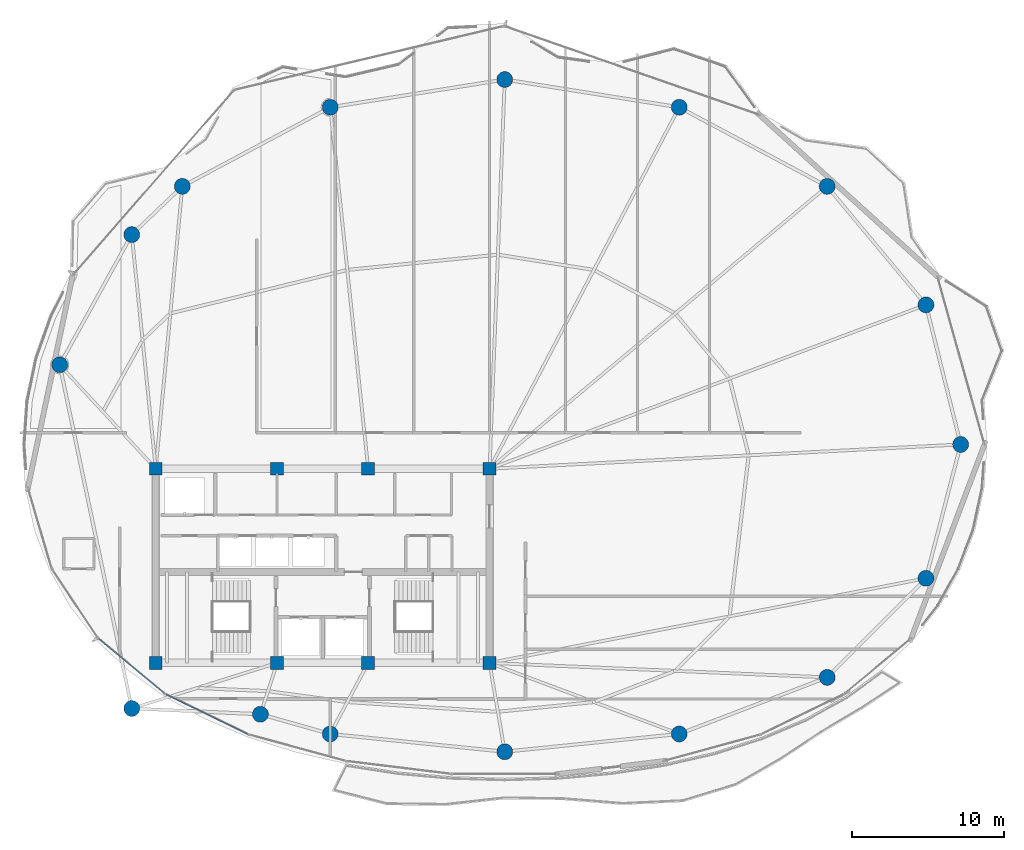
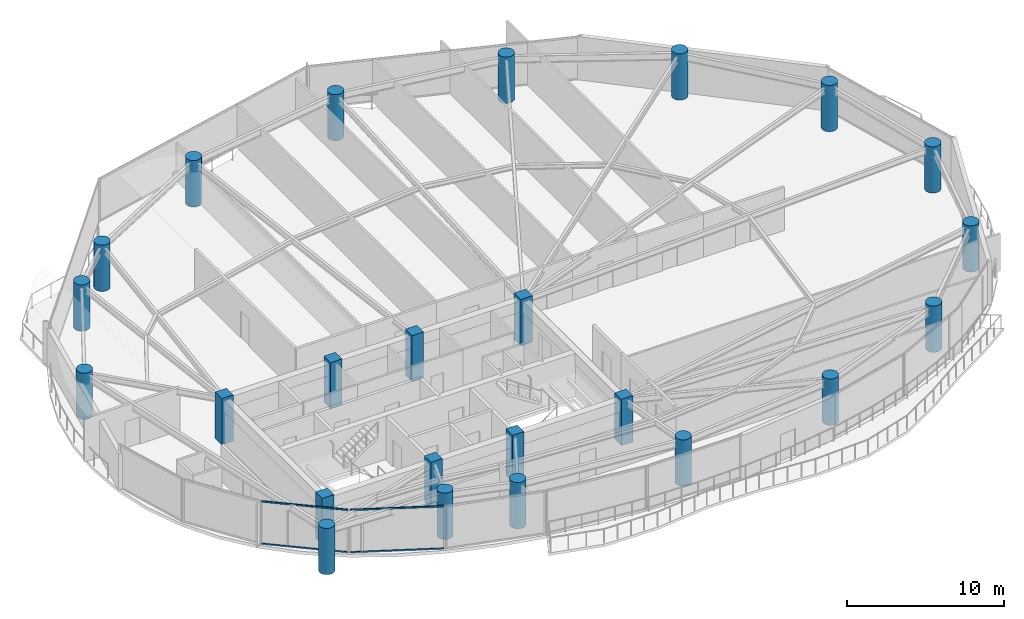
# One storey, part 1 of 28: 24 columns, 4 members, 2 elements without a shape of their own.
"""IFC4 building model written with IfcOpenShell, lengths in metres."""

from ifc_helpers import new_model, si_unit, direction, frame, origin, origin_2d, place, context, subcontext, project, spatial, rectangle, hollow_rectangle, circle, extrude, material, layer, layer_set, material_profile, profile_set, type_object, element, aggregate, save


model = new_model("IFC4")

# Units and contexts
model_context = context("Model", 3, precision=1e-05, world=origin(), true_north=direction((0.0, 1.0)))
body_context = subcontext(model_context, "Body", "Model", "MODEL_VIEW")
ifc_project = project(units=[si_unit("LENGTHUNIT", "METRE"), si_unit("AREAUNIT", "SQUARE_METRE"), si_unit("VOLUMEUNIT", "CUBIC_METRE"), si_unit("PLANEANGLEUNIT", "RADIAN"), si_unit("MASSUNIT", "GRAM", prefix="KILO")], contexts=[model_context])

# Site, building, storey
site_placement = place(None, origin())
site = spatial("IfcSite", under=ifc_project, at=site_placement, CompositionType="ELEMENT")
building_placement = place(site_placement, origin())
building = spatial("IfcBuilding", under=site, at=building_placement, Name="Kazevale Care Tower and Concert Hall", CompositionType="ELEMENT")
storey_placement = place(building_placement, frame((0.0, 0.0, 231.60009765625)))
storey = spatial("IfcBuildingStorey", under=building, at=storey_placement, Name="L61", CompositionType="ELEMENT", Elevation=231.60009765625)

# Columns
ifc_material_1 = material(Name="Concrete C50", Category="concrete")
ifc_material_profile_1 = material_profile(ifc_material_1, rectangle(XDim=0.85009765625, YDim=0.85009765625, at=origin_2d()), Name="RC-SQ850")
ifc_profile_set_1 = profile_set([ifc_material_profile_1], Name="Concrete C50")
column_type_1 = type_object("IfcColumnType", Name="Core Column SQ850 C50", PredefinedType="COLUMN", material=ifc_profile_set_1)
for number, where, z_axis, x_axis, name in (
    (1, (22.0, 23.60009765625, 0.0), (0.0, 0.0, 1.0), (1.0, 0.0, 0.0), "col:L61:CC-01"),
    (2, (30.0, 23.60009765625, 0.0), (0.0, 0.0, 1.0), (1.0, 0.0, 0.0), "col:L61:CC-02"),
    (3, (36.0, 23.60009765625, 0.0), (0.0, 0.0, 1.0), (1.0, 0.0, 0.0), "col:L61:CC-03"),
    (4, (44.0, 23.60009765625, 0.0), (0.0, 0.0, 1.0), (1.0, 0.0, 0.0), "col:L61:CC-04"),
    (5, (44.0, 36.39990234375, 0.0), (0.0, 0.0, 1.0), (1.0, 0.0, 0.0), "col:L61:CC-05"),
    (6, (36.0, 36.39990234375, 0.0), (0.0, 0.0, 1.0), (1.0, 0.0, 0.0), "col:L61:CC-06"),
    (7, (30.0, 36.39990234375, 0.0), (0.0, 0.0, 1.0), (1.0, 0.0, 0.0), "col:L61:CC-07"),
    (8, (22.0, 36.39990234375, 0.0), (0.0, 0.0, 1.0), (1.0, 0.0, 0.0), "col:L61:CC-08"),
):
    element("IfcColumn", number, at=place(storey_placement, frame(where, z_axis=z_axis, x_axis=x_axis)), inside=storey, type_object=column_type_1, Name=name, PredefinedType="COLUMN", context=body_context, shape_type="SweptSolid", body=[
        extrude(rectangle(XDim=0.85009765625, YDim=0.85009765625, at=origin_2d()), origin(), (0.0, 0.0, 1.0), 3.599853515625),
    ])
ifc_material_profile_2 = material_profile(ifc_material_1, circle(Radius=0.52490234375, at=origin_2d()), Name="RC-CIR1050")
ifc_profile_set_2 = profile_set([ifc_material_profile_2], Name="Concrete C50")
column_type_2 = type_object("IfcColumnType", Name="Perimeter Column CIR1050 C50", PredefinedType="COLUMN", material=ifc_profile_set_2)
for number, where, z_axis, x_axis, name in (
    (9, (75.050048828125, 38.0, 0.0), (0.0, 0.0, 1.0), (1.0, 0.0, 0.0), "col:L61:PC-01"),
    (10, (72.760009765625, 47.199951171875, 0.0), (0.0, 0.0, 1.0), (1.0, 0.0, 0.0), "col:L61:PC-02"),
    (11, (66.25, 55.010009765625, 0.0), (0.0, 0.0, 1.0), (1.0, 0.0, 0.0), "col:L61:PC-03"),
    (12, (56.5, 60.219970703125, 0.0), (0.0, 0.0, 1.0), (1.0, 0.0, 0.0), "col:L61:PC-04"),
    (13, (45.0, 62.050048828125, 0.0), (0.0, 0.0, 1.0), (1.0, 0.0, 0.0), "col:L61:PC-05"),
    (14, (33.5, 60.219970703125, 0.0), (0.0, 0.0, 1.0), (1.0, 0.0, 0.0), "col:L61:PC-06"),
    (15, (23.75, 55.010009765625, 0.0), (0.0, 0.0, 1.0), (1.0, 0.0, 0.0), "col:L61:PC-07"),
    (16, (20.419921875, 51.830078125, 0.0), (0.0, 0.0, 1.0), (1.0, 0.0, 0.0), "col:L61:PC-08"),
    (17, (15.669921875, 43.25, 0.0), (0.0, 0.0, 1.0), (1.0, 0.0, 0.0), "col:L61:PC-09"),
    (18, (20.419921875, 20.60009765625, 0.0), (0.0, 0.0, 1.0), (1.0, 0.0, 0.0), "col:L61:PC-10"),
    (19, (28.89990234375, 20.219970703125, 0.0), (0.0, 0.0, 1.0), (1.0, 0.0, 0.0), "col:L61:PC-11"),
    (20, (33.5, 18.919921875, 0.0), (0.0, 0.0, 1.0), (1.0, 0.0, 0.0), "col:L61:PC-12"),
    (21, (45.0, 17.75, 0.0), (0.0, 0.0, 1.0), (1.0, 0.0, 0.0), "col:L61:PC-13"),
    (22, (56.5, 18.919921875, 0.0), (0.0, 0.0, 1.0), (1.0, 0.0, 0.0), "col:L61:PC-14"),
    (23, (66.25, 22.64990234375, 0.0), (0.0, 0.0, 1.0), (1.0, 0.0, 0.0), "col:L61:PC-15"),
    (24, (72.760009765625, 29.179931640625, 0.0), (0.0, 0.0, 1.0), (1.0, 0.0, 0.0), "col:L61:PC-16"),
):
    element("IfcColumn", number, at=place(storey_placement, frame(where, z_axis=z_axis, x_axis=x_axis)), inside=storey, type_object=column_type_2, Name=name, PredefinedType="COLUMN", context=body_context, shape_type="SweptSolid", body=[
        extrude(circle(Radius=0.52490234375, at=origin_2d()), origin(), (0.0, 0.0, 1.0), 3.599853515625),
    ])

# Curtain wall, members
ifc_material_2 = material(Name="Aluminium 6063-T6 and Low-E Glass", Category="aluminium")
ifc_layer = layer(ifc_material_2, 0.179931640625)
ifc_layer_set = layer_set([ifc_layer], Name="Aluminium 6063-T6 and Low-E Glass")
curtain_wall_type = type_object("IfcCurtainWallType", Name="Sheltered Concave Balcony Curtain Wall CW-5", PredefinedType="NOTDEFINED", material=ifc_layer_set)
curtain_wall_1_placement = place(storey_placement, origin())
curtain_wall_1 = element("IfcCurtainWall", 25, at=curtain_wall_1_placement, inside=storey, type_object=curtain_wall_type, Name="cw:L61:f09", PredefinedType="NOTDEFINED")
ifc_material_3 = material(Name="Aluminium 6063-T6", Category="aluminium")
ifc_material_profile_3 = material_profile(ifc_material_3, hollow_rectangle(XDim=0.074951171875, YDim=0.1201171875, WallThickness=0.00390625, at=origin_2d()), Name="ALU75x120x4")
ifc_profile_set_3 = profile_set([ifc_material_profile_3], Name="Aluminium 6063-T6")
member_type = type_object("IfcMemberType", Name="CW-5 Transom ALU75x120x4", PredefinedType="USERDEFINED", material=ifc_profile_set_3)
member_1_placement = place(storey_placement, frame((28.07666015625, 18.90576171875, 0.037353515625), z_axis=(-0.899342308406, 0.437245254189, 0.0), x_axis=(-0.437245254189, -0.899342308406, 0.0)))
member_1 = element("IfcMember", 26, at=member_1_placement, type_object=member_type, Name="CW-5 transom 1.1", ObjectType="TRANSOM", PredefinedType="USERDEFINED", context=body_context, shape_type="SweptSolid", body=[
    extrude(hollow_rectangle(XDim=0.074951171875, YDim=0.1201171875, WallThickness=0.00390625, at=origin_2d()), origin(), (0.0, 0.0, 1.0), 6.00244140625),
])
member_2_placement = place(storey_placement, frame((28.07666015625, 18.90576171875, 3.322509765625), z_axis=(-0.899342308406, 0.437245254189, 0.0), x_axis=(-0.437245254189, -0.899342308406, 0.0)))
member_2 = element("IfcMember", 27, at=member_2_placement, type_object=member_type, Name="CW-5 transom 1.2", ObjectType="TRANSOM", PredefinedType="USERDEFINED", context=body_context, shape_type="SweptSolid", body=[
    extrude(hollow_rectangle(XDim=0.074951171875, YDim=0.1201171875, WallThickness=0.00390625, at=origin_2d()), origin(), (0.0, 0.0, 1.0), 6.00244140625),
])
aggregate(curtain_wall_1, [member_1, member_2])

curtain_wall_2_placement = place(storey_placement, origin())
curtain_wall_2 = element("IfcCurtainWall", 28, at=curtain_wall_2_placement, inside=storey, type_object=curtain_wall_type, Name="cw:L61:f10", PredefinedType="NOTDEFINED")
member_3_placement = place(storey_placement, frame((22.553466796875, 21.611083984375, 0.037353515625), z_axis=(-0.768432829708, 0.639930454211, 0.0), x_axis=(-0.639930454211, -0.768432829708, 0.0)))
member_3 = element("IfcMember", 29, at=member_3_placement, type_object=member_type, Name="CW-5 transom 1.1", ObjectType="TRANSOM", PredefinedType="USERDEFINED", context=body_context, shape_type="SweptSolid", body=[
    extrude(hollow_rectangle(XDim=0.074951171875, YDim=0.1201171875, WallThickness=0.00390625, at=origin_2d()), origin(), (0.0, 0.0, 1.0), 5.580078125),
])
member_4_placement = place(storey_placement, frame((22.553466796875, 21.611083984375, 3.322509765625), z_axis=(-0.768432829708, 0.639930454211, 0.0), x_axis=(-0.639930454211, -0.768432829708, 0.0)))
member_4 = element("IfcMember", 30, at=member_4_placement, type_object=member_type, Name="CW-5 transom 1.2", ObjectType="TRANSOM", PredefinedType="USERDEFINED", context=body_context, shape_type="SweptSolid", body=[
    extrude(hollow_rectangle(XDim=0.074951171875, YDim=0.1201171875, WallThickness=0.00390625, at=origin_2d()), origin(), (0.0, 0.0, 1.0), 5.580078125),
])
aggregate(curtain_wall_2, [member_3, member_4])

save(model, "model.ifc")
